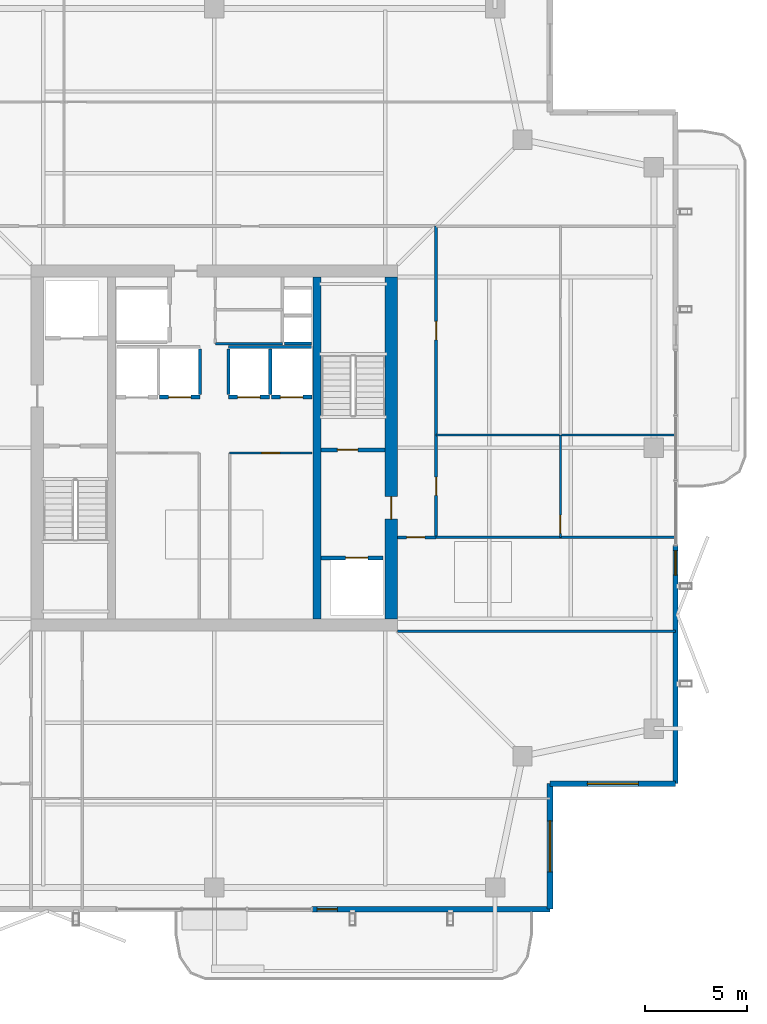
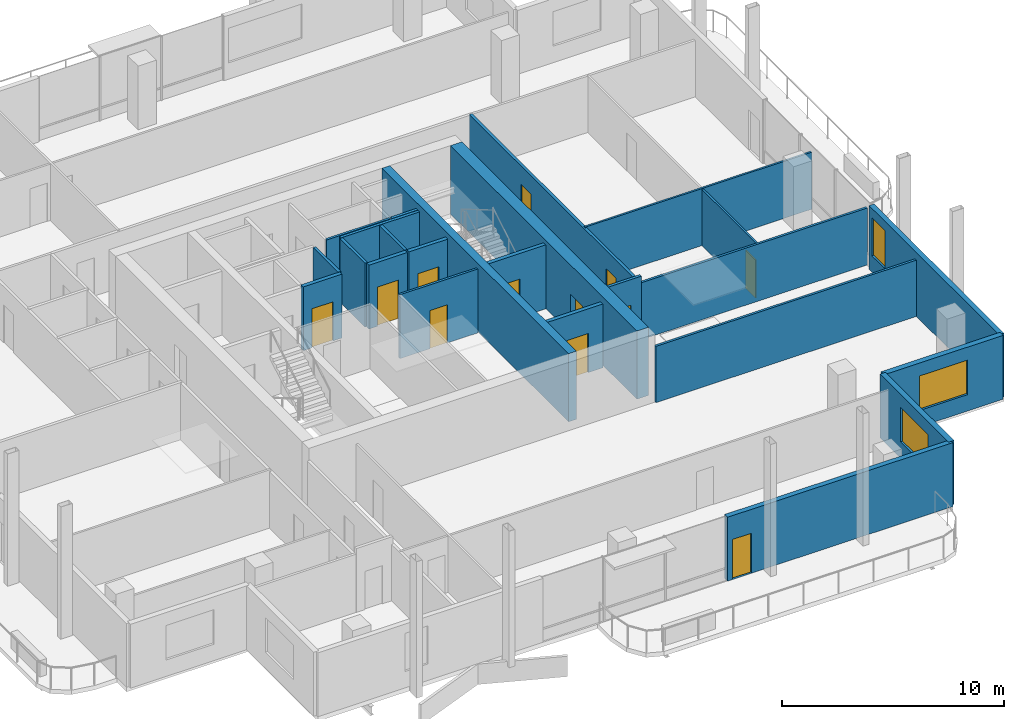
# One storey, part 15 of 20: 24 walls, 12 doors, 3 windows, 15 openings.
"""IFC4 building model written with IfcOpenShell, lengths in metres."""

import ifcopenshell
import ifcopenshell.guid

model = None  # the IFC model being written
_history = None  # IfcOwnerHistory: only IFC2X3 demands one
_inside = {}  # id of a spatial element -> (the spatial element, [elements in it])
_under = {}  # id of a project, library or spatial element -> (it, [spatial elements below it])
_declared = {}  # id of a project -> (the project, [libraries it declares])
_typed = {}  # id of a type object -> (the type object, [elements of that type])
_made_of = {}  # id of a material, layer set ... -> (it, [elements and type objects made of it])


def new_model(schema):
    """Start an empty IFC model of exactly this schema.

    Asked for "IFC4X3", IfcOpenShell would pick the latest addendum, in which some entities
    have other attributes; the version numbers below select the first issue.
    IFC2X3 requires an IfcOwnerHistory on every rooted entity: one is made here for all.
    """
    global model, _history
    if schema == "IFC4X3":
        model = ifcopenshell.file(schema_version=(4, 3, 0, 0))
    else:
        model = ifcopenshell.file(schema=schema)
    _inside.clear()
    _under.clear()
    _declared.clear()
    _typed.clear()
    _made_of.clear()
    _history = None
    if model.schema == "IFC2X3":
        org = make("IfcOrganization", Name="unknown")
        user = make(
            "IfcPersonAndOrganization",
            ThePerson=make("IfcPerson", FamilyName="unknown"),
            TheOrganization=org,
        )
        app = make(
            "IfcApplication",
            ApplicationDeveloper=org,
            Version="unknown",
            ApplicationFullName="unknown",
            ApplicationIdentifier="unknown",
        )
        _history = make(
            "IfcOwnerHistory",
            OwningUser=user,
            OwningApplication=app,
            ChangeAction="ADDED",
            CreationDate=0,
        )
    return model


def make(cls, **values):
    """One entity of the class cls with the attributes given. An attribute that is None is left unset."""
    return model.create_entity(
        cls, **{name: value for name, value in values.items() if value is not None}
    )


def rooted(cls, **values):
    """An entity with a GlobalId (a new one), such as an element, a storey or a relation."""
    return make(cls, GlobalId=ifcopenshell.guid.new(), OwnerHistory=_history, **values)


def si_unit(unit_type, name, prefix=None):
    """IfcSIUnit, for example si_unit("LENGTHUNIT", "METRE", prefix="MILLI")."""
    return make("IfcSIUnit", UnitType=unit_type, Prefix=prefix, Name=name)


def assignment(units):
    """IfcUnitAssignment: the units of a project."""
    return None if units is None else make("IfcUnitAssignment", Units=units)


def point(xyz):
    """IfcCartesianPoint."""
    return None if xyz is None else make("IfcCartesianPoint", Coordinates=xyz)


def direction(xyz):
    """IfcDirection."""
    return None if xyz is None else make("IfcDirection", DirectionRatios=xyz)


def frame(location, z_axis=None, x_axis=None):
    """IfcAxis2Placement3D, a coordinate frame: its origin and axes. An axis left out is left unset."""
    return make(
        "IfcAxis2Placement3D",
        Location=point(location),
        Axis=direction(z_axis),
        RefDirection=direction(x_axis),
    )


def frame_2d(location, x_axis=None):
    """IfcAxis2Placement2D, a coordinate frame in the plane: its origin and x axis."""
    return make(
        "IfcAxis2Placement2D", Location=point(location), RefDirection=direction(x_axis)
    )


def origin():
    """The frame at (0, 0, 0) with its axes left unset."""
    return frame((0.0, 0.0, 0.0))


def place(relative_to, where):
    """IfcLocalPlacement: puts the frame where relative to a parent placement (None: the world)."""
    return make(
        "IfcLocalPlacement", PlacementRelTo=relative_to, RelativePlacement=where
    )


def context(
    kind, dimensions, precision=None, world=None, true_north=None, identifier=None
):
    """IfcGeometricRepresentationContext, for example the 3D "Model" context."""
    return make(
        "IfcGeometricRepresentationContext",
        ContextIdentifier=identifier,
        ContextType=kind,
        CoordinateSpaceDimension=dimensions,
        Precision=precision,
        WorldCoordinateSystem=world,
        TrueNorth=true_north,
    )


def subcontext(parent, identifier, kind, view, scale=None):
    """IfcGeometricRepresentationSubContext, for example "Body" below "Model"."""
    return make(
        "IfcGeometricRepresentationSubContext",
        ContextIdentifier=identifier,
        ContextType=kind,
        ParentContext=parent,
        TargetScale=scale,
        TargetView=view,
    )


def project(units=None, contexts=None):
    """IfcProject with its units and contexts."""
    return rooted(
        "IfcProject",
        Name="project",
        RepresentationContexts=contexts,
        UnitsInContext=assignment(units),
    )


def spatial(cls, under=None, at=None, **own):
    """A site, building, storey or space (cls), placed at a placement, below another one or the project."""
    s = rooted(cls, ObjectPlacement=at, **own)
    if under is not None:
        _under.setdefault(under.id(), (under, []))[1].append(s)
    return s


def profile(cls, at=None, kind="AREA", **sizes):
    """A parametric profile (cls). Its sizes go by their IFC names, for example OverallWidth=200.0."""
    return make(cls, ProfileType=kind, Position=at, **sizes)


def rectangle(**sizes):
    """IfcRectangleProfileDef."""
    return profile("IfcRectangleProfileDef", **sizes)


def extrude(swept, where, along, depth):
    """IfcExtrudedAreaSolid: the profile swept, set in the frame where, extruded along a direction by depth."""
    return make(
        "IfcExtrudedAreaSolid",
        SweptArea=swept,
        Position=where,
        ExtrudedDirection=direction(along),
        Depth=depth,
    )


def shape(context_of_items, identifier, shape_type, items):
    """IfcShapeRepresentation: the items that make up one representation, for example the "Body"."""
    return make(
        "IfcShapeRepresentation",
        ContextOfItems=context_of_items,
        RepresentationIdentifier=identifier,
        RepresentationType=shape_type,
        Items=items,
    )


def material(Name=None, Category=None):
    """IfcMaterial."""
    return make("IfcMaterial", Name=Name, Category=Category)


def layer(
    of_material, thickness, ventilated=None, Name=None, Category=None, Priority=None
):
    """IfcMaterialLayer: one layer of a wall or slab, of a material (None: an air gap)."""
    return make(
        "IfcMaterialLayer",
        Material=of_material,
        LayerThickness=thickness,
        IsVentilated=ventilated,
        Name=Name,
        Category=Category,
        Priority=Priority,
    )


def layer_set(layers, Name=None):
    """IfcMaterialLayerSet."""
    return make("IfcMaterialLayerSet", MaterialLayers=layers, LayerSetName=Name)


def made_of(thing, what):
    """Note that an element or type object is made of a material, layer set ...; save() writes the relation."""
    if what is not None:
        _made_of.setdefault(what.id(), (what, []))[1].append(thing)
    return thing


def type_object(cls, material=None, **own):
    """A type object (cls), such as IfcWallType, which elements share."""
    return made_of(rooted(cls, **own), material)


def element(
    cls,
    number,
    at=None,
    inside=None,
    cuts=None,
    type_object=None,
    material=None,
    context=None,
    identifier="Body",
    shape_type=None,
    held_by="IfcProductDefinitionShape",
    body=None,
    shapes=None,
    **own,
):
    """One element of the class cls, such as IfcWall. Its Tag is "e" and its number.

    at: its placement. inside: the storey or other place that contains it. cuts: it is an
    opening in that element (IfcRelVoidsElement). A single representation is given by context,
    identifier, shape_type and body (its items); several are given by shapes. held_by: the class
    of the entity that holds the representations. save() writes the other relations.
    """
    e = rooted(cls, Tag="e%d" % number, ObjectPlacement=at, **own)
    if body is not None:
        shapes = [shape(context, identifier, shape_type, body)]
    if shapes is not None:
        e.Representation = make(held_by, Representations=shapes)
    if inside is not None:
        _inside.setdefault(inside.id(), (inside, []))[1].append(e)
    if cuts is not None:
        rooted(
            "IfcRelVoidsElement", RelatingBuildingElement=cuts, RelatedOpeningElement=e
        )
    if type_object is not None:
        _typed.setdefault(type_object.id(), (type_object, []))[1].append(e)
    return made_of(e, material)


def fill(opening, filler):
    """IfcRelFillsElement: the door or window that sits in an opening."""
    return rooted(
        "IfcRelFillsElement",
        RelatingOpeningElement=opening,
        RelatedBuildingElement=filler,
    )


def aggregate(whole, parts):
    """IfcRelAggregates: a whole, such as a stair, and the parts it consists of."""
    return rooted("IfcRelAggregates", RelatingObject=whole, RelatedObjects=parts)


def save(model, path):
    """Write the relations noted so far, then the file.

    IfcRelAggregates (storeys below a building ...), IfcRelContainedInSpatialStructure (elements
    in a storey), IfcRelDefinesByType, IfcRelAssociatesMaterial and IfcRelDeclares: one each for
    every whole, place, type object, material and project.
    """
    for whole, parts in _under.values():
        aggregate(whole, parts)
    for where, things in _inside.values():
        rooted(
            "IfcRelContainedInSpatialStructure",
            RelatedElements=things,
            RelatingStructure=where,
        )
    for kind, things in _typed.values():
        rooted("IfcRelDefinesByType", RelatedObjects=things, RelatingType=kind)
    for what, things in _made_of.values():
        rooted("IfcRelAssociatesMaterial", RelatedObjects=things, RelatingMaterial=what)
    for by, libraries in _declared.values():
        rooted("IfcRelDeclares", RelatingContext=by, RelatedDefinitions=libraries)
    model.write(path)


model = new_model("IFC4")

# Units and contexts
model_context = context("Model", 3, precision=1e-05, world=origin(), true_north=direction((0.0, 1.0)))
body_context = subcontext(model_context, "Body", "Model", "MODEL_VIEW")
ifc_project = project(units=[si_unit("LENGTHUNIT", "METRE"), si_unit("AREAUNIT", "SQUARE_METRE"), si_unit("VOLUMEUNIT", "CUBIC_METRE"), si_unit("PLANEANGLEUNIT", "RADIAN"), si_unit("MASSUNIT", "GRAM", prefix="KILO")], contexts=[model_context])

# Site, building, storey
site_placement = place(None, origin())
site = spatial("IfcSite", under=ifc_project, at=site_placement, CompositionType="ELEMENT")
building_placement = place(site_placement, origin())
building = spatial("IfcBuilding", under=site, at=building_placement, Name="Belovzor Exchange Tower", CompositionType="ELEMENT")
storey_placement = place(building_placement, frame((0.0, 0.0, 306.75)))
storey = spatial("IfcBuildingStorey", under=building, at=storey_placement, Name="L76", CompositionType="ELEMENT", Elevation=306.75)

# Walls
ifc_material_1 = material(Name="Acoustic Plasterboard on Galvanised Studs", Category="gypsum")
ifc_layer_1 = layer(ifc_material_1, 0.1201171875)
ifc_layer_set_1 = layer_set([ifc_layer_1], Name="Acoustic Plasterboard on Galvanised Studs")
wall_type_1 = type_object("IfcWallType", Name="Acoustic Double-Stud Partition Wall 120", PredefinedType="PARTITIONING", material=ifc_layer_set_1)
wall_1_placement = place(storey_placement, frame((37.800048828125, 19.800048828125, 0.0), z_axis=(0.0, 0.0, 1.0), x_axis=(1.0, 0.0, 0.0)))
element("IfcWall", 1, at=wall_1_placement, inside=storey, type_object=wall_type_1, Name="W-P120 Partition Wall W-L76-ESS", PredefinedType="PARTITIONING", context=body_context, shape_type="SweptSolid", body=[
    extrude(rectangle(XDim=13.669921875, YDim=0.1201171875, at=frame_2d((6.8349609375, 0.0))), origin(), (0.0, 0.0, 1.0), 3.094970703125),
])
wall_2_placement = place(storey_placement, frame((39.699951171875, 24.39990234375, 0.0), z_axis=(0.0, 0.0, 1.0), x_axis=(1.0, 0.0, 0.0)))
element("IfcWall", 2, at=wall_2_placement, inside=storey, type_object=wall_type_1, Name="W-P120 Partition Wall W-L76-ESN", PredefinedType="PARTITIONING", context=body_context, shape_type="SweptSolid", body=[
    extrude(rectangle(XDim=11.77001953125, YDim=0.1201171875, at=frame_2d((5.885009765625, 0.0))), origin(), (0.0, 0.0, 1.0), 3.135009765625),
])

# Wall, opening, door
ifc_material_2 = material(Name="Acoustic Laminated Glass and Aluminium", Category="aluminium")
ifc_layer_2 = layer(ifc_material_2, 0.10009765625)
ifc_layer_set_2 = layer_set([ifc_layer_2], Name="Acoustic Laminated Glass and Aluminium")
wall_type_2 = type_object("IfcWallType", Name="Demountable Executive Glass Partition 100", PredefinedType="MOVABLE", material=ifc_layer_set_2)
wall_3_placement = place(storey_placement, frame((45.802978515625, 24.39990234375, 0.0), z_axis=(0.0, 0.0, 1.0), x_axis=(0.0, 1.0, 0.0)))
wall_3 = element("IfcWall", 3, at=wall_3_placement, inside=storey, type_object=wall_type_2, Name="W-M100 Partition Wall W-L76-EHDIV-0", PredefinedType="MOVABLE", context=body_context, shape_type="SweptSolid", body=[
    extrude(rectangle(XDim=5.028076171875, YDim=0.10009765625, at=frame_2d((2.51416015625, 0.0))), origin(), (0.0, 0.0, 1.0), 3.094970703125),
])
opening_1_placement = place(wall_3_placement, frame((0.199951171875, 0.0, 0.0)))
opening_1 = element("IfcOpeningElement", 4, at=opening_1_placement, cuts=wall_3, Name="Opening D-INT-090", PredefinedType="OPENING", context=body_context, shape_type="SweptSolid", body=[
    extrude(rectangle(XDim=0.89990234375, YDim=2.10009765625, at=frame_2d((0.449951171875, 1.050048828125))), frame((0.0, 0.06005859375, 0.0), z_axis=(0.0, -1.0, 0.0), x_axis=(1.0, 0.0, 0.0)), (0.0, 0.0, 1.0), 0.1201171875),
])
ifc_material_3 = material(Name="Veneered Hardwood Acoustic Leaf", Category="wood")
door_type_1 = type_object("IfcDoorType", Name="Trading Suite Acoustic Single Door 900x2100", OperationType="NOTDEFINED", PredefinedType="DOOR", material=ifc_material_3)
door_1_placement = place(opening_1_placement, origin())
door_1 = element("IfcDoor", 5, at=door_1_placement, inside=storey, type_object=door_type_1, Name="D-INT-090 Trading Suite Acoustic Single Door 900x2100", OperationType="SINGLE_SWING_RIGHT", OverallHeight=2.10009765625, OverallWidth=0.89990234375, PredefinedType="DOOR", context=body_context, shape_type="SweptSolid", body=[
    extrude(rectangle(XDim=0.89990234375, YDim=2.10009765625, at=frame_2d((0.449951171875, 1.050048828125))), frame((0.0, 0.02490234375, 0.0), z_axis=(0.0, -1.0, 0.0), x_axis=(1.0, 0.0, 0.0)), (0.0, 0.0, 1.0), 0.050048828125),
])
fill(opening_1, door_1)

# Walls
wall_4_placement = place(storey_placement, frame((39.699951171875, 29.427978515625, 0.0), z_axis=(0.0, 0.0, 1.0), x_axis=(1.0, 0.0, 0.0)))
element("IfcWall", 6, at=wall_4_placement, inside=storey, type_object=wall_type_2, Name="W-M100 Partition Wall W-L76-EDIV-1", PredefinedType="MOVABLE", context=body_context, shape_type="SweptSolid", body=[
    extrude(rectangle(XDim=11.77001953125, YDim=0.10009765625, at=frame_2d((5.885009765625, 0.0))), origin(), (0.0, 0.0, 1.0), 3.135009765625),
])
ifc_material_4 = material(Name="Fire-Rated Plasterboard on Galvanised Studs", Category="gypsum")
ifc_layer_3 = layer(ifc_material_4, 0.1201171875)
ifc_layer_set_3 = layer_set([ifc_layer_3], Name="Fire-Rated Plasterboard on Galvanised Studs")
wall_type_3 = type_object("IfcWallType", Name="Fire-Rated Double-Stud Partition Wall 120", PredefinedType="PARTITIONING", material=ifc_layer_set_3)
wall_5_placement = place(storey_placement, frame((28.85009765625, 33.925048828125, 0.0), z_axis=(0.0, 0.0, 1.0), x_axis=(1.0, 0.0, 0.0)))
element("IfcWall", 7, at=wall_5_placement, inside=storey, type_object=wall_type_3, Name="W-P120F Partition Wall W-CRV-L76-S", PredefinedType="PARTITIONING", context=body_context, shape_type="SweptSolid", body=[
    extrude(rectangle(XDim=3.2998046875, YDim=0.1201171875, at=frame_2d((1.64990234375, 0.0))), origin(), (0.0, 0.0, 1.0), 3.510009765625),
])

# Wall, opening, door
wall_6_placement = place(storey_placement, frame((29.550048828125, 28.550048828125, 0.0), z_axis=(0.0, 0.0, 1.0), x_axis=(1.0, 0.0, 0.0)))
wall_6 = element("IfcWall", 8, at=wall_6_placement, inside=storey, type_object=wall_type_3, Name="W-P120F Partition Wall W-CREB-L76-N", PredefinedType="PARTITIONING", context=body_context, shape_type="SweptSolid", body=[
    extrude(rectangle(XDim=4.050048828125, YDim=0.1201171875, at=frame_2d((2.02490234375, 0.0))), origin(), (0.0, 0.0, 1.0), 3.510009765625),
])
opening_2_placement = place(wall_6_placement, frame((1.574951171875, 0.0, 0.0)))
opening_2 = element("IfcOpeningElement", 9, at=opening_2_placement, cuts=wall_6, Name="Opening D-FD60-090", PredefinedType="OPENING", context=body_context, shape_type="SweptSolid", body=[
    extrude(rectangle(XDim=0.89990234375, YDim=2.10009765625, at=frame_2d((0.449951171875, 1.050048828125))), frame((0.0, 0.070068359375, 0.0), z_axis=(0.0, -1.0, 0.0), x_axis=(1.0, 0.0, 0.0)), (0.0, 0.0, 1.0), 0.14013671875),
])
ifc_material_5 = material(Name="Acoustic Timber Fire Leaf", Category="wood")
door_type_2 = type_object("IfcDoorType", Name="Core Service & Restroom Fire Door 900x2100", OperationType="NOTDEFINED", PredefinedType="DOOR", material=ifc_material_5)
door_2_placement = place(opening_2_placement, origin())
door_2 = element("IfcDoor", 10, at=door_2_placement, inside=storey, type_object=door_type_2, Name="D-FD60-090 Core Service & Restroom Fire Door 900x2100", OperationType="SINGLE_SWING_RIGHT", OverallHeight=2.10009765625, OverallWidth=0.89990234375, PredefinedType="DOOR", context=body_context, shape_type="SweptSolid", body=[
    extrude(rectangle(XDim=0.89990234375, YDim=2.10009765625, at=frame_2d((0.449951171875, 1.050048828125))), frame((0.0, 0.02490234375, 0.0), z_axis=(0.0, -1.0, 0.0), x_axis=(1.0, 0.0, 0.0)), (0.0, 0.0, 1.0), 0.050048828125),
])
fill(opening_2, door_2)

ifc_material_6 = material(Name="Fire-Rated Gypsum Block and Mineral Wool", Category="gypsum")
ifc_layer_4 = layer(ifc_material_6, 0.14990234375)
ifc_layer_set_4 = layer_set([ifc_layer_4], Name="Fire-Rated Gypsum Block and Mineral Wool")
wall_type_4 = type_object("IfcWallType", Name="Fire-Rated Gypsum Block Corridor Wall 150", PredefinedType="PARTITIONING", material=ifc_layer_set_4)
wall_7_placement = place(storey_placement, frame((37.800048828125, 24.39990234375, 0.0), z_axis=(0.0, 0.0, 1.0), x_axis=(1.0, 0.0, 0.0)))
wall_7 = element("IfcWall", 11, at=wall_7_placement, inside=storey, type_object=wall_type_4, Name="W-P150 Partition Wall W-L76-CE-END", PredefinedType="PARTITIONING", context=body_context, shape_type="SweptSolid", body=[
    extrude(rectangle(XDim=1.89990234375, YDim=0.14990234375, at=frame_2d((0.949951171875, 0.0))), origin(), (0.0, 0.0, 1.0), 3.510009765625),
])
opening_3_placement = place(wall_7_placement, frame((0.449951171875, 0.0, 0.0)))
opening_3 = element("IfcOpeningElement", 12, at=opening_3_placement, cuts=wall_7, Name="Opening D-FD60-090", PredefinedType="OPENING", context=body_context, shape_type="SweptSolid", body=[
    extrude(rectangle(XDim=0.89990234375, YDim=2.10009765625, at=frame_2d((0.449951171875, 1.050048828125))), frame((0.0, 0.0849609375, 0.0), z_axis=(0.0, -1.0, 0.0), x_axis=(1.0, 0.0, 0.0)), (0.0, 0.0, 1.0), 0.169921875),
])
door_3_placement = place(opening_3_placement, origin())
door_3 = element("IfcDoor", 13, at=door_3_placement, inside=storey, type_object=door_type_2, Name="D-FD60-090 Core Service & Restroom Fire Door 900x2100", OperationType="SINGLE_SWING_LEFT", OverallHeight=2.10009765625, OverallWidth=0.89990234375, PredefinedType="DOOR", context=body_context, shape_type="SweptSolid", body=[
    extrude(rectangle(XDim=0.89990234375, YDim=2.10009765625, at=frame_2d((0.449951171875, 1.050048828125))), frame((0.0, 0.02490234375, 0.0), z_axis=(0.0, -1.0, 0.0), x_axis=(1.0, 0.0, 0.0)), (0.0, 0.0, 1.0), 0.050048828125),
])
fill(opening_3, door_3)

# Wall, openings, doors
wall_8_placement = place(storey_placement, frame((39.699951171875, 24.39990234375, 0.0), z_axis=(0.0, 0.0, 1.0), x_axis=(0.0, 1.0, 0.0)))
wall_8 = element("IfcWall", 14, at=wall_8_placement, inside=storey, type_object=wall_type_4, Name="W-P150 Partition Wall W-L76-CE", PredefinedType="PARTITIONING", context=body_context, shape_type="SweptSolid", body=[
    extrude(rectangle(XDim=15.300048828125, YDim=0.14990234375, at=frame_2d((7.64990234375, 0.0))), origin(), (0.0, 0.0, 1.0), 3.094970703125),
])
opening_4_placement = place(wall_8_placement, frame((2.06396484375, 0.0, 0.0)))
opening_4 = element("IfcOpeningElement", 15, at=opening_4_placement, cuts=wall_8, Name="Opening D-INT-090", PredefinedType="OPENING", context=body_context, shape_type="SweptSolid", body=[
    extrude(rectangle(XDim=0.89990234375, YDim=2.10009765625, at=frame_2d((0.449951171875, 1.050048828125))), frame((0.0, 0.0849609375, 0.0), z_axis=(0.0, -1.0, 0.0), x_axis=(1.0, 0.0, 0.0)), (0.0, 0.0, 1.0), 0.169921875),
])
opening_5_placement = place(wall_8_placement, frame((9.714111328125, 0.0, 0.0)))
opening_5 = element("IfcOpeningElement", 16, at=opening_5_placement, cuts=wall_8, Name="Opening D-INT-090", PredefinedType="OPENING", context=body_context, shape_type="SweptSolid", body=[
    extrude(rectangle(XDim=0.89990234375, YDim=2.10009765625, at=frame_2d((0.449951171875, 1.050048828125))), frame((0.0, 0.0849609375, 0.0), z_axis=(0.0, -1.0, 0.0), x_axis=(1.0, 0.0, 0.0)), (0.0, 0.0, 1.0), 0.169921875),
])
door_4_placement = place(opening_4_placement, origin())
door_4 = element("IfcDoor", 17, at=door_4_placement, inside=storey, type_object=door_type_1, Name="D-INT-090 Trading Suite Acoustic Single Door 900x2100", OperationType="SINGLE_SWING_RIGHT", OverallHeight=2.10009765625, OverallWidth=0.89990234375, PredefinedType="DOOR", context=body_context, shape_type="SweptSolid", body=[
    extrude(rectangle(XDim=0.89990234375, YDim=2.10009765625, at=frame_2d((0.449951171875, 1.050048828125))), frame((0.0, 0.02490234375, 0.0), z_axis=(0.0, -1.0, 0.0), x_axis=(1.0, 0.0, 0.0)), (0.0, 0.0, 1.0), 0.050048828125),
])
fill(opening_4, door_4)
door_5_placement = place(opening_5_placement, origin())
door_5 = element("IfcDoor", 18, at=door_5_placement, inside=storey, type_object=door_type_1, Name="D-INT-090 Trading Suite Acoustic Single Door 900x2100", OperationType="SINGLE_SWING_LEFT", OverallHeight=2.10009765625, OverallWidth=0.89990234375, PredefinedType="DOOR", context=body_context, shape_type="SweptSolid", body=[
    extrude(rectangle(XDim=0.89990234375, YDim=2.10009765625, at=frame_2d((0.449951171875, 1.050048828125))), frame((0.0, 0.02490234375, 0.0), z_axis=(0.0, -1.0, 0.0), x_axis=(1.0, 0.0, 0.0)), (0.0, 0.0, 1.0), 0.050048828125),
])
fill(opening_5, door_5)

# Wall, opening, window
ifc_material_7 = material(Name="Precast concrete C40/50", Category="concrete")
ifc_layer_5 = layer(ifc_material_7, 0.280029296875)
ifc_layer_set_5 = layer_set([ifc_layer_5], Name="Precast concrete C40/50")
wall_type_5 = type_object("IfcWallType", Name="Precast Concrete Notched Corner Frame Wall 280", PredefinedType="SOLIDWALL", material=ifc_layer_set_5)
wall_9_placement = place(storey_placement, frame((51.469970703125, 12.300048828125, 0.0), z_axis=(0.0, 0.0, 1.0), x_axis=(-1.0, 0.0, 0.0)))
wall_9 = element("IfcWall", 19, at=wall_9_placement, inside=storey, type_object=wall_type_5, Name="W-CRN280 Precast Concrete Notched Corner Frame Wall 280 L76", PredefinedType="SOLIDWALL", context=body_context, shape_type="SweptSolid", body=[
    extrude(rectangle(XDim=6.169921875, YDim=0.280029296875, at=frame_2d((3.0849609375, 0.0))), origin(), (0.0, 0.0, 1.0), 3.510009765625),
])
opening_6_placement = place(wall_9_placement, frame((1.8349609375, 0.0, 0.89990234375)))
opening_6 = element("IfcOpeningElement", 20, at=opening_6_placement, cuts=wall_9, Name="Opening WN-CRN250", PredefinedType="OPENING", context=body_context, shape_type="SweptSolid", body=[
    extrude(rectangle(XDim=2.5, YDim=1.89990234375, at=frame_2d((1.25, 0.949951171875))), frame((0.0, 0.14990234375, 0.0), z_axis=(0.0, -1.0, 0.0), x_axis=(1.0, 0.0, 0.0)), (0.0, 0.0, 1.0), 0.300048828125),
])
ifc_material_8 = material(Name="Thermally Broken Aluminium and Triple Glazing", Category="aluminium")
window_type_1 = type_object("IfcWindowType", Name="Streamline Moderne Corner Wrap Ribbon Window 2500x1900", PartitioningType="SINGLE_PANEL", PredefinedType="WINDOW", material=ifc_material_8)
window_1_placement = place(opening_6_placement, origin())
window_1 = element("IfcWindow", 21, at=window_1_placement, inside=storey, type_object=window_type_1, Name="WN-CRN250 Streamline Moderne Corner Wrap Ribbon Window 2500x1900", OverallHeight=1.89990234375, OverallWidth=2.5, PartitioningType="SINGLE_PANEL", PredefinedType="WINDOW", context=body_context, shape_type="SweptSolid", body=[
    extrude(rectangle(XDim=2.5, YDim=1.89990234375, at=frame_2d((1.25, 0.949951171875))), frame((0.0, 0.030029296875, 0.0), z_axis=(0.0, -1.0, 0.0), x_axis=(1.0, 0.0, 0.0)), (0.0, 0.0, 1.0), 0.06005859375),
])
fill(opening_6, window_1)

wall_10_placement = place(storey_placement, frame((45.300048828125, 12.300048828125, 0.0), z_axis=(0.0, 0.0, 1.0), x_axis=(0.0, -1.0, 0.0)))
wall_10 = element("IfcWall", 22, at=wall_10_placement, inside=storey, type_object=wall_type_5, Name="W-CRN280 Precast Concrete Notched Corner Frame Wall 280 L76", PredefinedType="SOLIDWALL", context=body_context, shape_type="SweptSolid", body=[
    extrude(rectangle(XDim=6.170166015625, YDim=0.280029296875, at=frame_2d((3.0849609375, 0.0))), origin(), (0.0, 0.0, 1.0), 3.510009765625),
])
opening_7_placement = place(wall_10_placement, frame((1.8349609375, 0.0, 0.89990234375)))
opening_7 = element("IfcOpeningElement", 23, at=opening_7_placement, cuts=wall_10, Name="Opening WN-CRN250", PredefinedType="OPENING", context=body_context, shape_type="SweptSolid", body=[
    extrude(rectangle(XDim=2.5, YDim=1.89990234375, at=frame_2d((1.25, 0.949951171875))), frame((0.0, 0.14990234375, 0.0), z_axis=(0.0, -1.0, 0.0), x_axis=(1.0, 0.0, 0.0)), (0.0, 0.0, 1.0), 0.300048828125),
])
window_2_placement = place(opening_7_placement, origin())
window_2 = element("IfcWindow", 24, at=window_2_placement, inside=storey, type_object=window_type_1, Name="WN-CRN250 Streamline Moderne Corner Wrap Ribbon Window 2500x1900", OverallHeight=1.89990234375, OverallWidth=2.5, PartitioningType="SINGLE_PANEL", PredefinedType="WINDOW", context=body_context, shape_type="SweptSolid", body=[
    extrude(rectangle(XDim=2.5, YDim=1.89990234375, at=frame_2d((1.25, 0.949951171875))), frame((0.0, 0.030029296875, 0.0), z_axis=(0.0, -1.0, 0.0), x_axis=(1.0, 0.0, 0.0)), (0.0, 0.0, 1.0), 0.06005859375),
])
fill(opening_7, window_2)

# Wall, opening, door
ifc_material_9 = material(Name="Precast concrete C40/50", Category="concrete")
ifc_layer_6 = layer(ifc_material_9, 0.260009765625)
ifc_layer_set_6 = layer_set([ifc_layer_6], Name="Precast concrete C40/50")
wall_type_6 = type_object("IfcWallType", Name="Precast Concrete Perimeter Loggia Frame Wall 260", PredefinedType="SOLIDWALL", material=ifc_layer_set_6)
wall_11_placement = place(storey_placement, frame((45.300048828125, 6.1298828125, 0.0), z_axis=(0.0, 0.0, 1.0), x_axis=(-1.0, 0.0, 0.0)))
wall_11 = element("IfcWall", 25, at=wall_11_placement, inside=storey, type_object=wall_type_6, Name="W-EXT260 Precast Concrete Perimeter Loggia Frame Wall 260 L76", PredefinedType="SOLIDWALL", context=body_context, shape_type="SweptSolid", body=[
    extrude(rectangle(XDim=11.699951171875, YDim=0.260009765625, at=frame_2d((5.85009765625, 0.0))), origin(), (0.0, 0.0, 1.0), 3.510009765625),
])
opening_8_placement = place(wall_11_placement, frame((10.449951171875, 0.0, 0.0)))
opening_8 = element("IfcOpeningElement", 26, at=opening_8_placement, cuts=wall_11, Name="Opening D-BAL100", PredefinedType="OPENING", context=body_context, shape_type="SweptSolid", body=[
    extrude(rectangle(XDim=1.0, YDim=2.199951171875, at=frame_2d((0.5, 1.10009765625))), frame((0.0, 0.139892578125, 0.0), z_axis=(0.0, -1.0, 0.0), x_axis=(1.0, 0.0, 0.0)), (0.0, 0.0, 1.0), 0.280029296875),
])
ifc_material_10 = material(Name="Thermally Broken Anodised Aluminium and Laminated Glass", Category="aluminium")
door_type_3 = type_object("IfcDoorType", Name="Planted Loggia Terrace Glazed Door 1000x2200", OperationType="SINGLE_SWING_LEFT", PredefinedType="DOOR", material=ifc_material_10)
door_6_placement = place(opening_8_placement, origin())
door_6 = element("IfcDoor", 27, at=door_6_placement, inside=storey, type_object=door_type_3, Name="D-BAL100 Balcony Terrace Door L76 S", OperationType="SINGLE_SWING_LEFT", OverallHeight=2.199951171875, OverallWidth=1.0, PredefinedType="DOOR", context=body_context, shape_type="SweptSolid", body=[
    extrude(rectangle(XDim=1.0, YDim=2.199951171875, at=frame_2d((0.5, 1.10009765625))), frame((0.0, 0.02490234375, 0.0), z_axis=(0.0, -1.0, 0.0), x_axis=(1.0, 0.0, 0.0)), (0.0, 0.0, 1.0), 0.050048828125),
])
fill(opening_8, door_6)

# Wall, opening, window
wall_12_placement = place(storey_placement, frame((51.469970703125, 24.0, 0.0), z_axis=(0.0, 0.0, 1.0), x_axis=(0.0, -1.0, 0.0)))
wall_12 = element("IfcWall", 28, at=wall_12_placement, inside=storey, type_object=wall_type_6, Name="W-EXT260 Precast Concrete Perimeter Loggia Frame Wall 260 L76", PredefinedType="SOLIDWALL", context=body_context, shape_type="SweptSolid", body=[
    extrude(rectangle(XDim=11.699951171875, YDim=0.260009765625, at=frame_2d((5.85009765625, 0.0))), origin(), (0.0, 0.0, 1.0), 3.510009765625),
])
opening_9_placement = place(wall_12_placement, frame((0.25, 0.0, 0.89990234375)))
opening_9 = element("IfcOpeningElement", 29, at=opening_9_placement, cuts=wall_12, Name="Opening WN-CRN120", PredefinedType="OPENING", context=body_context, shape_type="SweptSolid", body=[
    extrude(rectangle(XDim=1.199951171875, YDim=2.10009765625, at=frame_2d((0.60009765625, 1.050048828125))), frame((0.0, 0.139892578125, 0.0), z_axis=(0.0, -1.0, 0.0), x_axis=(1.0, 0.0, 0.0)), (0.0, 0.0, 1.0), 0.280029296875),
])
ifc_material_11 = material(Name="Thermally Broken Aluminium and Triple Glazing", Category="aluminium")
window_type_2 = type_object("IfcWindowType", Name="Streamline Notched Corner Window 1200x2100", PartitioningType="SINGLE_PANEL", PredefinedType="WINDOW", material=ifc_material_11)
window_3_placement = place(opening_9_placement, origin())
window_3 = element("IfcWindow", 30, at=window_3_placement, inside=storey, type_object=window_type_2, Name="WN-CRN120 Streamline Notched Corner Window 1200x2100", OverallHeight=2.10009765625, OverallWidth=1.199951171875, PartitioningType="SINGLE_PANEL", PredefinedType="WINDOW", context=body_context, shape_type="SweptSolid", body=[
    extrude(rectangle(XDim=1.199951171875, YDim=2.10009765625, at=frame_2d((0.60009765625, 1.050048828125))), frame((0.0, 0.030029296875, 0.0), z_axis=(0.0, -1.0, 0.0), x_axis=(1.0, 0.0, 0.0)), (0.0, 0.0, 1.0), 0.06005859375),
])
fill(opening_9, window_3)

# Walls
ifc_material_12 = material(Name="Concrete C50/60", Category="concrete")
ifc_layer_7 = layer(ifc_material_12, 0.39990234375)
ifc_layer_set_7 = layer_set([ifc_layer_7], Name="Concrete C50/60")
wall_type_7 = type_object("IfcWallType", Name="Reinforced Concrete Core Internal Web Wall 400", PredefinedType="SHEAR", material=ifc_layer_set_7)
wall_13_placement = place(storey_placement, frame((33.85009765625, 20.39990234375, 0.0), z_axis=(0.0, 0.0, 1.0), x_axis=(0.0, 1.0, 0.0)))
element("IfcWall", 31, at=wall_13_placement, inside=storey, type_object=wall_type_7, Name="CW-W040 Core Internal Web Wall L76 ER", PredefinedType="SHEAR", context=body_context, shape_type="SweptSolid", body=[
    extrude(rectangle(XDim=16.800048828125, YDim=0.39990234375, at=frame_2d((8.39990234375, 0.0))), origin(), (0.0, 0.0, 1.0), 3.75),
])
ifc_material_13 = material(Name="Concrete C50/60", Category="concrete")
ifc_layer_8 = layer(ifc_material_13, 0.14990234375)
ifc_layer_set_8 = layer_set([ifc_layer_8], Name="Concrete C50/60")
wall_type_8 = type_object("IfcWallType", Name="Reinforced Concrete Core Riser Shear Wall 150", PredefinedType="SHEAR", material=ifc_layer_set_8)
wall_14_placement = place(storey_placement, frame((32.25, 33.925048828125, 0.0), z_axis=(0.0, 0.0, 1.0), x_axis=(1.0, 0.0, 0.0)))
element("IfcWall", 32, at=wall_14_placement, inside=storey, type_object=wall_type_8, Name="W-C150S Core Shaft Wall W-RSR-L76-S", PredefinedType="SHEAR", context=body_context, shape_type="SweptSolid", body=[
    extrude(rectangle(XDim=1.330078125, YDim=0.14990234375, at=frame_2d((0.6650390625, 0.0))), origin(), (0.0, 0.0, 1.0), 3.510009765625),
])
wall_15_placement = place(storey_placement, frame((29.5, 33.760009765625, 0.0), z_axis=(0.0, 0.0, 1.0), x_axis=(1.0, 0.0, 0.0)))
element("IfcWall", 33, at=wall_15_placement, inside=storey, type_object=wall_type_8, Name="W-C150S Core Shaft Wall W-SHB-L76-PLH-NE", PredefinedType="SHEAR", context=body_context, shape_type="SweptSolid", body=[
    extrude(rectangle(XDim=4.080078125, YDim=0.14990234375, at=frame_2d((2.0400390625, 0.0))), origin(), (0.0, 0.0, 1.0), 3.510009765625),
])
for number, where, z_axis, x_axis, name in (
    (34, (28.10009765625, 31.419921875, 0.0), (0.0, 0.0, 1.0), (0.0, 1.0, 0.0), "W-C150S Core Shaft Wall W-SHD-L76-PLH-2"),
    (35, (29.5, 31.419921875, 0.0), (0.0, 0.0, 1.0), (0.0, 1.0, 0.0), "W-C150S Core Shaft Wall W-SHD-L76-PLH-3"),
    (36, (31.550048828125, 31.419921875, 0.0), (0.0, 0.0, 1.0), (0.0, 1.0, 0.0), "W-C150S Core Shaft Wall W-SHD-L76-PLH-4"),
):
    element("IfcWall", number, at=place(storey_placement, frame(where, z_axis=z_axis, x_axis=x_axis)), inside=storey, type_object=wall_type_8, Name=name, PredefinedType="SHEAR", context=body_context, shape_type="SweptSolid", body=[
        extrude(rectangle(XDim=2.239990234375, YDim=0.14990234375, at=frame_2d((1.1201171875, 0.0))), origin(), (0.0, 0.0, 1.0), 3.510009765625),
    ])

# Wall, opening, door
ifc_material_14 = material(Name="Concrete C50/60", Category="concrete")
ifc_layer_9 = layer(ifc_material_14, 0.199951171875)
ifc_layer_set_9 = layer_set([ifc_layer_9], Name="Concrete C50/60")
wall_type_9 = type_object("IfcWallType", Name="Reinforced Concrete Core Shaft Shear Wall 200", PredefinedType="SHEAR", material=ifc_layer_set_9)
wall_16_placement = place(storey_placement, frame((34.050048828125, 28.699951171875, 0.0), z_axis=(0.0, 0.0, 1.0), x_axis=(1.0, 0.0, 0.0)))
wall_16 = element("IfcWall", 37, at=wall_16_placement, inside=storey, type_object=wall_type_9, Name="W-C200S Core Shaft Wall W-CORE-L76-FFLE2", PredefinedType="SHEAR", context=body_context, shape_type="SweptSolid", body=[
    extrude(rectangle(XDim=3.14990234375, YDim=0.199951171875, at=frame_2d((1.574951171875, 0.0))), origin(), (0.0, 0.0, 1.0), 3.510009765625),
])
opening_10_placement = place(wall_16_placement, frame((0.800048828125, 0.0, 0.0)))
opening_10 = element("IfcOpeningElement", 38, at=opening_10_placement, cuts=wall_16, Name="Opening D-FD90-100", PredefinedType="OPENING", context=body_context, shape_type="SweptSolid", body=[
    extrude(rectangle(XDim=1.0, YDim=2.10009765625, at=frame_2d((0.5, 1.050048828125))), frame((0.0, 0.10986328125, 0.0), z_axis=(0.0, -1.0, 0.0), x_axis=(1.0, 0.0, 0.0)), (0.0, 0.0, 1.0), 0.219970703125),
])
ifc_material_15 = material(Name="Fire-Rated Galvanised Steel Leaf", Category="steel")
door_type_4 = type_object("IfcDoorType", Name="Protected Stairwell Single Fire Door 1000x2100", OperationType="NOTDEFINED", PredefinedType="DOOR", material=ifc_material_15)
door_7_placement = place(opening_10_placement, origin())
door_7 = element("IfcDoor", 39, at=door_7_placement, inside=storey, type_object=door_type_4, Name="D-FD90-100 Protected Stairwell Single Fire Door 1000x2100", OperationType="SINGLE_SWING_LEFT", OverallHeight=2.10009765625, OverallWidth=1.0, PredefinedType="DOOR", context=body_context, shape_type="SweptSolid", body=[
    extrude(rectangle(XDim=1.0, YDim=2.10009765625, at=frame_2d((0.5, 1.050048828125))), frame((0.0, 0.02490234375, 0.0), z_axis=(0.0, -1.0, 0.0), x_axis=(1.0, 0.0, 0.0)), (0.0, 0.0, 1.0), 0.050048828125),
])
fill(opening_10, door_7)

wall_17_placement = place(storey_placement, frame((34.050048828125, 23.39990234375, 0.0), z_axis=(0.0, 0.0, 1.0), x_axis=(1.0, 0.0, 0.0)))
wall_17 = element("IfcWall", 40, at=wall_17_placement, inside=storey, type_object=wall_type_9, Name="W-C200S Core Shaft Wall W-SH-L76-FFL-02", PredefinedType="SHEAR", context=body_context, shape_type="SweptSolid", body=[
    extrude(rectangle(XDim=3.050048828125, YDim=0.199951171875, at=frame_2d((1.52490234375, 0.0))), origin(), (0.0, 0.0, 1.0), 3.510009765625),
])
opening_11_placement = place(wall_17_placement, frame((1.199951171875, 0.0, 0.0)))
opening_11 = element("IfcOpeningElement", 41, at=opening_11_placement, cuts=wall_17, Name="Opening LD-110", PredefinedType="OPENING", context=body_context, shape_type="SweptSolid", body=[
    extrude(rectangle(XDim=1.10009765625, YDim=2.14990234375, at=frame_2d((0.550048828125, 1.074951171875))), frame((0.0, 0.10986328125, 0.0), z_axis=(0.0, -1.0, 0.0), x_axis=(1.0, 0.0, 0.0)), (0.0, 0.0, 1.0), 0.219970703125),
])
ifc_material_16 = material(Name="Stainless Steel Grade 304", Category="steel")
door_type_5 = type_object("IfcDoorType", Name="Automated Stainless Steel Lift Landing Door 1100x2150", OperationType="SLIDING_TO_RIGHT", PredefinedType="DOOR", material=ifc_material_16)
door_8_placement = place(opening_11_placement, origin())
door_8 = element("IfcDoor", 42, at=door_8_placement, inside=storey, type_object=door_type_5, Name="LD-110 Automated Stainless Steel Lift Landing Door 1100x2150", OperationType="SLIDING_TO_RIGHT", OverallHeight=2.14990234375, OverallWidth=1.10009765625, PredefinedType="DOOR", context=body_context, shape_type="SweptSolid", body=[
    extrude(rectangle(XDim=1.10009765625, YDim=2.14990234375, at=frame_2d((0.550048828125, 1.074951171875))), frame((0.0, 0.02490234375, 0.0), z_axis=(0.0, -1.0, 0.0), x_axis=(1.0, 0.0, 0.0)), (0.0, 0.0, 1.0), 0.050048828125),
])
fill(opening_11, door_8)

wall_18_placement = place(storey_placement, frame((26.10009765625, 31.300048828125, 0.0), z_axis=(0.0, 0.0, 1.0), x_axis=(1.0, 0.0, 0.0)))
wall_18 = element("IfcWall", 43, at=wall_18_placement, inside=storey, type_object=wall_type_9, Name="W-C200S Core Shaft Wall W-SH-L76-PL-H2", PredefinedType="SHEAR", context=body_context, shape_type="SweptSolid", body=[
    extrude(rectangle(XDim=2.0, YDim=0.199951171875, at=frame_2d((1.0, 0.0))), origin(), (0.0, 0.0, 1.0), 3.510009765625),
])
opening_12_placement = place(wall_18_placement, frame((0.449951171875, 0.0, 0.0)))
opening_12 = element("IfcOpeningElement", 44, at=opening_12_placement, cuts=wall_18, Name="Opening LD-110", PredefinedType="OPENING", context=body_context, shape_type="SweptSolid", body=[
    extrude(rectangle(XDim=1.10009765625, YDim=2.14990234375, at=frame_2d((0.550048828125, 1.074951171875))), frame((0.0, 0.10986328125, 0.0), z_axis=(0.0, -1.0, 0.0), x_axis=(1.0, 0.0, 0.0)), (0.0, 0.0, 1.0), 0.219970703125),
])
door_9_placement = place(opening_12_placement, origin())
door_9 = element("IfcDoor", 45, at=door_9_placement, inside=storey, type_object=door_type_5, Name="LD-110 Automated Stainless Steel Lift Landing Door 1100x2150", OperationType="SLIDING_TO_RIGHT", OverallHeight=2.14990234375, OverallWidth=1.10009765625, PredefinedType="DOOR", context=body_context, shape_type="SweptSolid", body=[
    extrude(rectangle(XDim=1.10009765625, YDim=2.14990234375, at=frame_2d((0.550048828125, 1.074951171875))), frame((0.0, 0.02490234375, 0.0), z_axis=(0.0, -1.0, 0.0), x_axis=(1.0, 0.0, 0.0)), (0.0, 0.0, 1.0), 0.050048828125),
])
fill(opening_12, door_9)

wall_19_placement = place(storey_placement, frame((29.5, 31.300048828125, 0.0), z_axis=(0.0, 0.0, 1.0), x_axis=(1.0, 0.0, 0.0)))
wall_19 = element("IfcWall", 46, at=wall_19_placement, inside=storey, type_object=wall_type_9, Name="W-C200S Core Shaft Wall W-SH-L76-PL-H3", PredefinedType="SHEAR", context=body_context, shape_type="SweptSolid", body=[
    extrude(rectangle(XDim=2.0, YDim=0.199951171875, at=frame_2d((1.0, 0.0))), origin(), (0.0, 0.0, 1.0), 3.510009765625),
])
opening_13_placement = place(wall_19_placement, frame((0.449951171875, 0.0, 0.0)))
opening_13 = element("IfcOpeningElement", 47, at=opening_13_placement, cuts=wall_19, Name="Opening LD-110", PredefinedType="OPENING", context=body_context, shape_type="SweptSolid", body=[
    extrude(rectangle(XDim=1.10009765625, YDim=2.14990234375, at=frame_2d((0.550048828125, 1.074951171875))), frame((0.0, 0.10986328125, 0.0), z_axis=(0.0, -1.0, 0.0), x_axis=(1.0, 0.0, 0.0)), (0.0, 0.0, 1.0), 0.219970703125),
])
door_10_placement = place(opening_13_placement, origin())
door_10 = element("IfcDoor", 48, at=door_10_placement, inside=storey, type_object=door_type_5, Name="LD-110 Automated Stainless Steel Lift Landing Door 1100x2150", OperationType="SLIDING_TO_RIGHT", OverallHeight=2.14990234375, OverallWidth=1.10009765625, PredefinedType="DOOR", context=body_context, shape_type="SweptSolid", body=[
    extrude(rectangle(XDim=1.10009765625, YDim=2.14990234375, at=frame_2d((0.550048828125, 1.074951171875))), frame((0.0, 0.02490234375, 0.0), z_axis=(0.0, -1.0, 0.0), x_axis=(1.0, 0.0, 0.0)), (0.0, 0.0, 1.0), 0.050048828125),
])
fill(opening_13, door_10)

wall_20_placement = place(storey_placement, frame((31.60009765625, 31.300048828125, 0.0), z_axis=(0.0, 0.0, 1.0), x_axis=(1.0, 0.0, 0.0)))
wall_20 = element("IfcWall", 49, at=wall_20_placement, inside=storey, type_object=wall_type_9, Name="W-C200S Core Shaft Wall W-SH-L76-PL-H4", PredefinedType="SHEAR", context=body_context, shape_type="SweptSolid", body=[
    extrude(rectangle(XDim=2.0, YDim=0.199951171875, at=frame_2d((1.0, 0.0))), origin(), (0.0, 0.0, 1.0), 3.510009765625),
])
opening_14_placement = place(wall_20_placement, frame((0.449951171875, 0.0, 0.0)))
opening_14 = element("IfcOpeningElement", 50, at=opening_14_placement, cuts=wall_20, Name="Opening LD-110", PredefinedType="OPENING", context=body_context, shape_type="SweptSolid", body=[
    extrude(rectangle(XDim=1.10009765625, YDim=2.14990234375, at=frame_2d((0.550048828125, 1.074951171875))), frame((0.0, 0.10986328125, 0.0), z_axis=(0.0, -1.0, 0.0), x_axis=(1.0, 0.0, 0.0)), (0.0, 0.0, 1.0), 0.219970703125),
])
door_11_placement = place(opening_14_placement, origin())
door_11 = element("IfcDoor", 51, at=door_11_placement, inside=storey, type_object=door_type_5, Name="LD-110 Automated Stainless Steel Lift Landing Door 1100x2150", OperationType="SLIDING_TO_RIGHT", OverallHeight=2.14990234375, OverallWidth=1.10009765625, PredefinedType="DOOR", context=body_context, shape_type="SweptSolid", body=[
    extrude(rectangle(XDim=1.10009765625, YDim=2.14990234375, at=frame_2d((0.550048828125, 1.074951171875))), frame((0.0, 0.02490234375, 0.0), z_axis=(0.0, -1.0, 0.0), x_axis=(1.0, 0.0, 0.0)), (0.0, 0.0, 1.0), 0.050048828125),
])
fill(opening_14, door_11)

ifc_material_17 = material(Name="Concrete C50/60", Category="concrete")
ifc_layer_10 = layer(ifc_material_17, 0.60009765625)
ifc_layer_set_10 = layer_set([ifc_layer_10], Name="Concrete C50/60")
wall_type_10 = type_object("IfcWallType", Name="Reinforced Concrete Core Shear Wall 600", PredefinedType="SHEAR", material=ifc_layer_set_10)
wall_21_placement = place(storey_placement, frame((37.5, 20.39990234375, 0.0), z_axis=(0.0, 0.0, 1.0), x_axis=(0.0, 1.0, 0.0)))
wall_21 = element("IfcWall", 52, at=wall_21_placement, inside=storey, type_object=wall_type_10, Name="CW-S060 Core Shear Wall L76 E", PredefinedType="SHEAR", context=body_context, shape_type="SweptSolid", body=[
    extrude(rectangle(XDim=16.800048828125, YDim=0.60009765625, at=frame_2d((8.39990234375, 0.0))), origin(), (0.0, 0.0, 1.0), 3.75),
])
opening_15_placement = place(wall_21_placement, frame((4.89990234375, 0.0, 0.0)))
opening_15 = element("IfcOpeningElement", 53, at=opening_15_placement, cuts=wall_21, Name="Opening D-FD90-110", PredefinedType="OPENING", context=body_context, shape_type="SweptSolid", body=[
    extrude(rectangle(XDim=1.10009765625, YDim=2.14990234375, at=frame_2d((0.550048828125, 1.074951171875))), frame((0.0, 0.31005859375, 0.0), z_axis=(0.0, -1.0, 0.0), x_axis=(1.0, 0.0, 0.0)), (0.0, 0.0, 1.0), 0.6201171875),
])
ifc_material_18 = material(Name="Fire-Rated Galvanised Steel Leaf", Category="steel")
door_type_6 = type_object("IfcDoorType", Name="Protected Escape Vestibule Fire Door 1100x2150", OperationType="NOTDEFINED", PredefinedType="DOOR", material=ifc_material_18)
door_12_placement = place(opening_15_placement, origin())
door_12 = element("IfcDoor", 54, at=door_12_placement, inside=storey, type_object=door_type_6, Name="D-FD90-110 Protected Escape Vestibule Fire Door 1100x2150", OperationType="SINGLE_SWING_RIGHT", OverallHeight=2.14990234375, OverallWidth=1.10009765625, PredefinedType="DOOR", context=body_context, shape_type="SweptSolid", body=[
    extrude(rectangle(XDim=1.10009765625, YDim=2.14990234375, at=frame_2d((0.550048828125, 1.074951171875))), frame((0.0, 0.02490234375, 0.0), z_axis=(0.0, -1.0, 0.0), x_axis=(1.0, 0.0, 0.0)), (0.0, 0.0, 1.0), 0.050048828125),
])
fill(opening_15, door_12)

save(model, "model.ifc")
